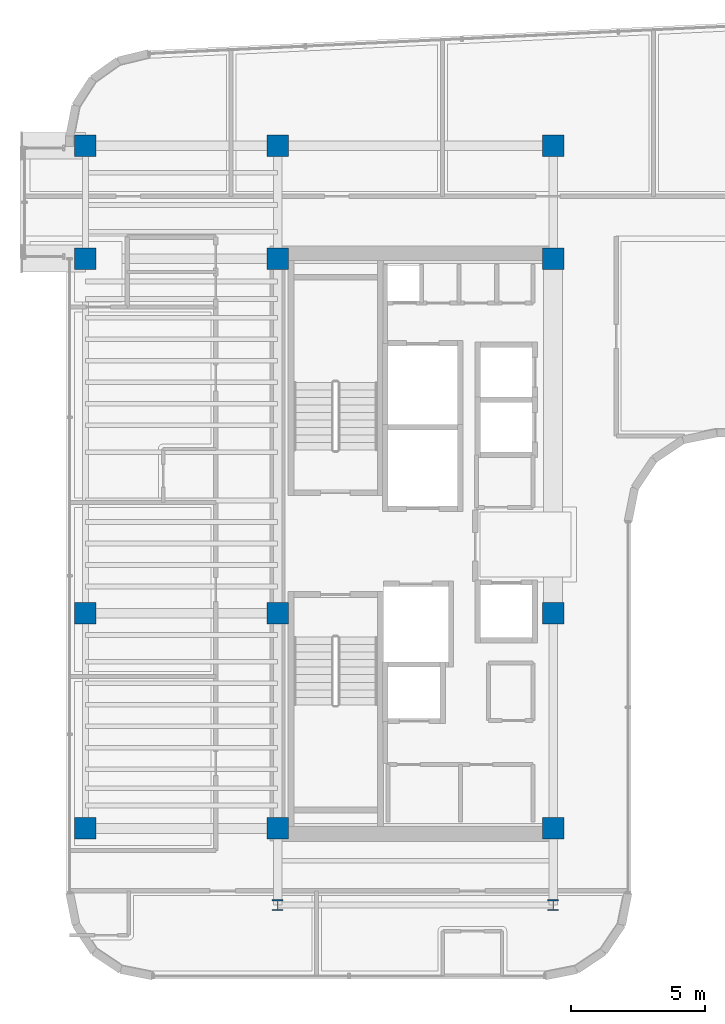
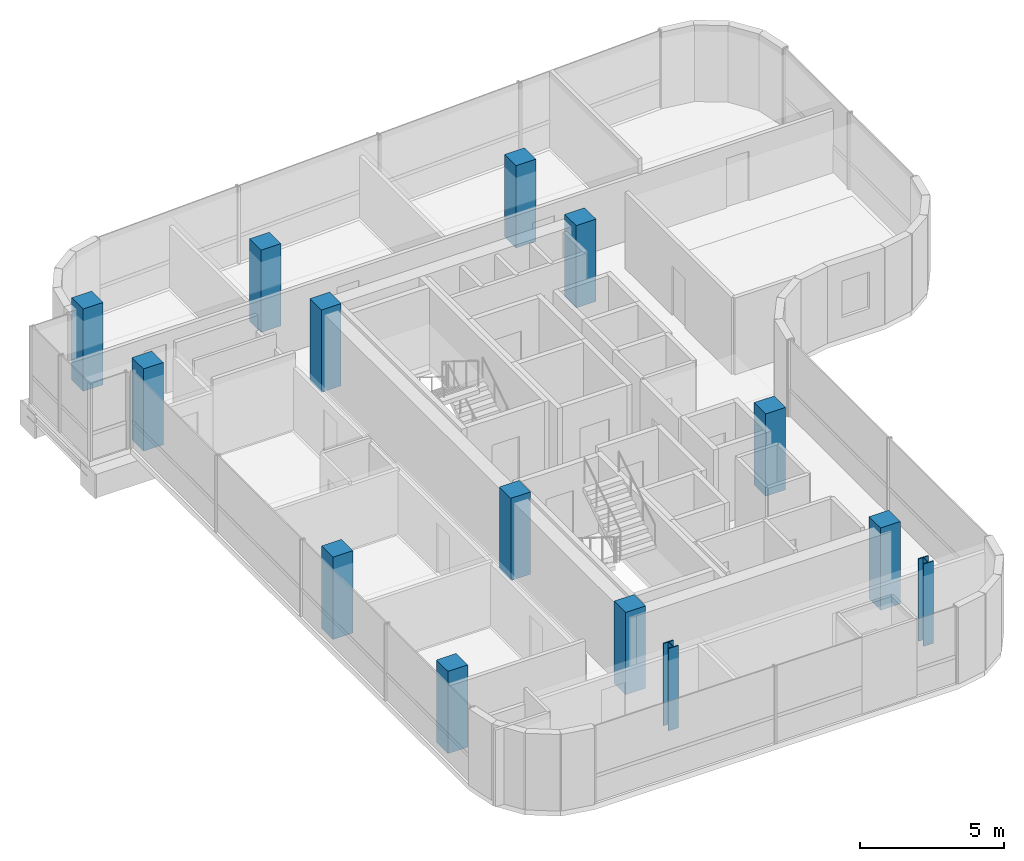
# One storey, part 1 of 21: 14 columns.
"""IFC4 building model written with IfcOpenShell, lengths in metres."""

from ifc_helpers import new_model, si_unit, direction, frame, origin, origin_2d, place, context, subcontext, project, spatial, rectangle, i_section, extrude, source, transform, mapped, material, material_profile, profile_set, type_object, element, save


model = new_model("IFC4")

# Units and contexts
model_context = context("Model", 3, precision=1e-05, world=origin(), true_north=direction((0.0, 1.0)))
body_context = subcontext(model_context, "Body", "Model", "MODEL_VIEW")
ifc_project = project(units=[si_unit("LENGTHUNIT", "METRE"), si_unit("AREAUNIT", "SQUARE_METRE"), si_unit("VOLUMEUNIT", "CUBIC_METRE"), si_unit("PLANEANGLEUNIT", "RADIAN"), si_unit("MASSUNIT", "GRAM", prefix="KILO")], contexts=[model_context])

# Site, building, storey
site_placement = place(None, origin())
site = spatial("IfcSite", under=ifc_project, at=site_placement, CompositionType="ELEMENT")
building_placement = place(site_placement, origin())
building = spatial("IfcBuilding", under=site, at=building_placement, Name="Valdorenza Pilgrim Sanctuary Tower", CompositionType="ELEMENT")
storey_placement = place(building_placement, frame((0.0, 0.0, 258.0)))
storey = spatial("IfcBuildingStorey", under=building, at=storey_placement, Name="L67", CompositionType="ELEMENT", Elevation=258.0)

# Columns
ifc_material_1 = material(Name="Concrete C50/60", Category="concrete")
ifc_material_profile_1 = material_profile(ifc_material_1, rectangle(XDim=0.800048828125, YDim=0.800048828125, at=origin_2d()), Name="RC 800x800")
ifc_profile_set_1 = profile_set([ifc_material_profile_1], Name="Concrete C50/60")
column_type_1 = type_object("IfcColumnType", Name="COL-Z4B-800", PredefinedType="COLUMN", material=ifc_profile_set_1)
shared_shape_1 = source(origin(), body_context, "Body", "SweptSolid", [
    extrude(rectangle(XDim=0.800048828125, YDim=0.800048828125, at=origin_2d()), origin(), (0.0, 0.0, 1.0), 3.5),
])
for number, where, z_axis, x_axis, name in (
    (1, (-29.800048828125, -10.60009765625, 0.0), (0.0, 0.0, 1.0), (1.0, 0.0, 0.0), "L67 Perimeter Column WA-W-S1"),
    (2, (-22.64990234375, -10.60009765625, 0.0), (0.0, 0.0, 1.0), (1.0, 0.0, 0.0), "L67 Column CA-W-S1"),
    (3, (-12.39990234375, -10.60009765625, 0.0), (0.0, 0.0, 1.0), (1.0, 0.0, 0.0), "L67 Column CA-E-S1"),
    (4, (-29.800048828125, -2.60009765625, 0.0), (0.0, 0.0, 1.0), (1.0, 0.0, 0.0), "L67 Perimeter Column WA-W-M0"),
    (5, (-22.64990234375, -2.60009765625, 0.0), (0.0, 0.0, 1.0), (1.0, 0.0, 0.0), "L67 Column CA-W-M0"),
    (6, (-12.39990234375, -2.60009765625, 0.0), (0.0, 0.0, 1.0), (1.0, 0.0, 0.0), "L67 Column CA-E-M0"),
    (7, (-29.800048828125, 10.60009765625, 0.0), (0.0, 0.0, 1.0), (1.0, 0.0, 0.0), "L67 Perimeter Column WA-W-N1"),
    (8, (-22.64990234375, 10.60009765625, 0.0), (0.0, 0.0, 1.0), (1.0, 0.0, 0.0), "L67 Column CA-W-N1"),
    (9, (-12.39990234375, 10.60009765625, 0.0), (0.0, 0.0, 1.0), (1.0, 0.0, 0.0), "L67 Column CA-E-N1"),
    (10, (-29.800048828125, 14.800048828125, 0.0), (0.0, 0.0, 1.0), (1.0, 0.0, 0.0), "L67 Perimeter Column WA-W-N2"),
    (11, (-22.64990234375, 14.800048828125, 0.0), (0.0, 0.0, 1.0), (1.0, 0.0, 0.0), "L67 Column CA-W-N2"),
    (12, (-12.39990234375, 14.800048828125, 0.0), (0.0, 0.0, 1.0), (1.0, 0.0, 0.0), "L67 Column CA-E-N2"),
):
    element("IfcColumn", number, at=place(storey_placement, frame(where, z_axis=z_axis, x_axis=x_axis)), inside=storey, type_object=column_type_1, Name=name, PredefinedType="COLUMN", context=body_context, shape_type="MappedRepresentation", body=[
        mapped(shared_shape_1, transform((0.0, 0.0, 0.0), x_axis=(1.0, 0.0, 0.0), y_axis=(0.0, 1.0, 0.0), z_axis=(0.0, 0.0, 1.0), scale=1.0)),
    ])
ifc_material_2 = material(Name="Steel ASTM A992 Grade 50", Category="steel")
ifc_material_profile_2 = material_profile(ifc_material_2, i_section(OverallWidth=0.40087890625, OverallDepth=0.39892578125, WebThickness=0.02490234375, FlangeThickness=0.03955078125, at=origin_2d()), Name="W14X211")
ifc_profile_set_2 = profile_set([ifc_material_profile_2], Name="Steel ASTM A992 Grade 50")
column_type_2 = type_object("IfcColumnType", Name="COL-STL-W211", PredefinedType="COLUMN", material=ifc_profile_set_2)
shared_shape_2 = source(origin(), body_context, "Body", "SweptSolid", [
    extrude(i_section(OverallWidth=0.40087890625, OverallDepth=0.39892578125, WebThickness=0.02490234375, FlangeThickness=0.03955078125, at=origin_2d()), origin(), (0.0, 0.0, 1.0), 3.5),
])
for number, where, z_axis, x_axis, name in (
    (13, (-22.64990234375, -13.449951171875, 0.0), (0.0, 0.0, 1.0), (1.0, 0.0, 0.0), "L67 Column WA-S-W"),
    (14, (-12.39990234375, -13.449951171875, 0.0), (0.0, 0.0, 1.0), (1.0, 0.0, 0.0), "L67 Column WA-S-E"),
):
    element("IfcColumn", number, at=place(storey_placement, frame(where, z_axis=z_axis, x_axis=x_axis)), inside=storey, type_object=column_type_2, Name=name, PredefinedType="COLUMN", context=body_context, shape_type="MappedRepresentation", body=[
        mapped(shared_shape_2, transform((0.0, 0.0, 0.0), x_axis=(1.0, 0.0, 0.0), y_axis=(0.0, 1.0, 0.0), z_axis=(0.0, 0.0, 1.0), scale=1.0)),
    ])

save(model, "model.ifc")
